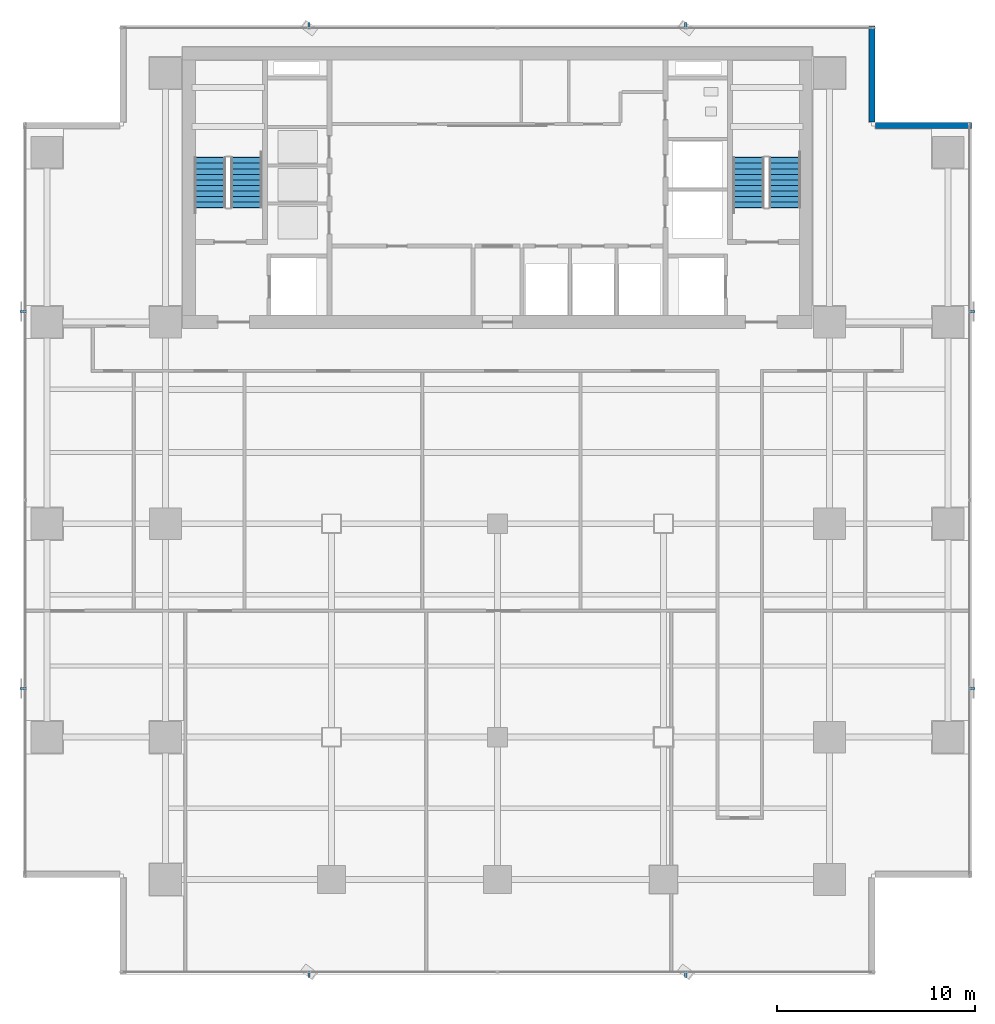
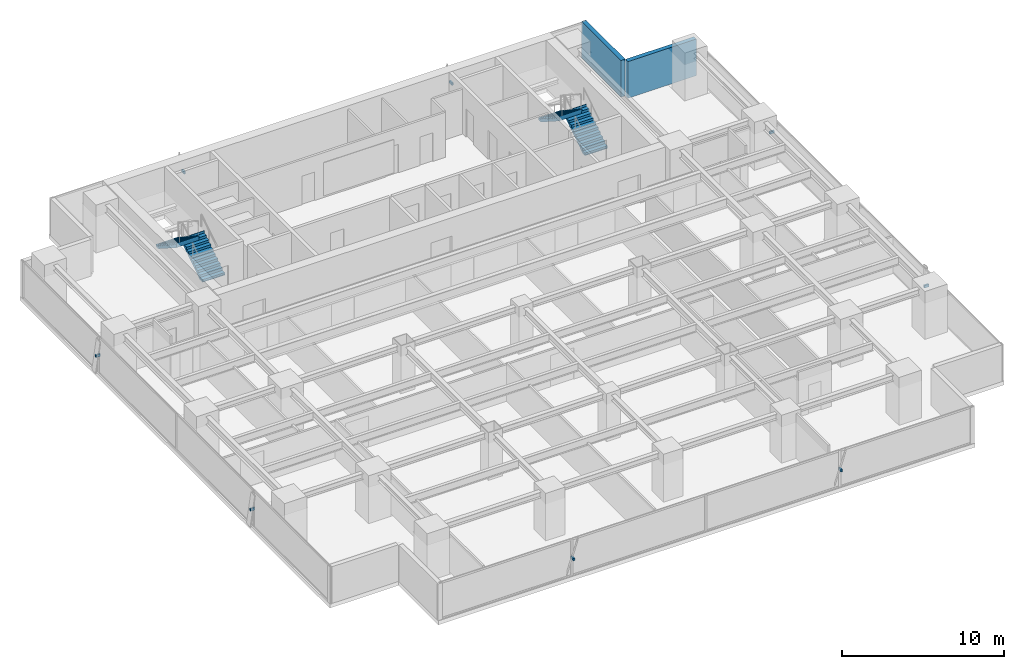
# One storey, part 23 of 29: 8 discrete accessories, 4 stair flights, 2 walls, 2 elements without a shape of their own.
"""IFC4 building model written with IfcOpenShell, lengths in metres."""

from ifc_helpers import new_model, si_unit, direction, frame, frame_2d, origin, origin_2d, place, context, subcontext, project, spatial, polyline, rectangle, outline, extrude, source, transform, mapped, material, layer, layer_set, material_profile, profile_set, type_object, element, aggregate, save


model = new_model("IFC4")

# Units and contexts
model_context = context("Model", 3, precision=1e-05, world=origin(), true_north=direction((0.0, 1.0)))
body_context = subcontext(model_context, "Body", "Model", "MODEL_VIEW")
ifc_project = project(units=[si_unit("LENGTHUNIT", "METRE"), si_unit("AREAUNIT", "SQUARE_METRE"), si_unit("VOLUMEUNIT", "CUBIC_METRE"), si_unit("PLANEANGLEUNIT", "RADIAN"), si_unit("MASSUNIT", "GRAM", prefix="KILO")], contexts=[model_context])

# Site, building, storey
site_placement = place(None, origin())
site = spatial("IfcSite", under=ifc_project, at=site_placement, CompositionType="ELEMENT")
building_placement = place(site_placement, origin())
building = spatial("IfcBuilding", under=site, at=building_placement, Name="Sumidabori Civic Tower", CompositionType="ELEMENT")
storey_placement = place(building_placement, frame((0.0, 0.0, 131.60009765625)))
storey = spatial("IfcBuildingStorey", under=building, at=storey_placement, Name="L33", CompositionType="ELEMENT", Elevation=131.60009765625)

# Walls
ifc_material_1 = material(Name="Precast concrete C40/50", Category="concrete")
ifc_layer = layer(ifc_material_1, 0.300048828125, Name="Precast concrete C40/50")
ifc_layer_set = layer_set([ifc_layer], Name="Precast concrete C40/50")
wall_type = type_object("IfcWallType", Name="WL-EXT-POD300", PredefinedType="STANDARD", material=ifc_layer_set)
shared_shape_1 = source(origin(), body_context, "Body", "SweptSolid", [
    extrude(rectangle(XDim=4.85986328125, YDim=0.300048828125, at=frame_2d((2.429931640625, 0.0))), origin(), (0.0, 0.0, 1.0), 2.760009765625),
])
for number, where, z_axis, x_axis, name in (
    (1, (23.97998046875, 20.14990234375, 0.0), (0.0, 0.0, 1.0), (-1.0, 0.0, 0.0), "Notched Corner Spandrel Band L33-05"),
    (2, (18.949951171875, 20.320068359375, 0.0), (0.0, 0.0, 1.0), (0.0, 1.0, 0.0), "Notched Corner Spandrel Band L33-06"),
):
    element("IfcWall", number, at=place(storey_placement, frame(where, z_axis=z_axis, x_axis=x_axis)), inside=storey, type_object=wall_type, Name=name, PredefinedType="STANDARD", context=body_context, shape_type="MappedRepresentation", body=[
        mapped(shared_shape_1, transform((0.0, 0.0, 0.0), x_axis=(1.0, 0.0, 0.0), y_axis=(0.0, 1.0, 0.0), z_axis=(0.0, 0.0, 1.0), scale=1.0)),
    ])

# Stair, stair flights
ifc_material_2 = material(Name="Concrete C40/50", Category="concrete")
stair_type = type_object("IfcStairType", Name="ST-CORE-1600", PredefinedType="HALF_TURN_STAIR", material=ifc_material_2)
stair_1_placement = place(storey_placement, origin())
stair_1 = element("IfcStair", 3, at=stair_1_placement, inside=storey, type_object=stair_type, Name="L33 ST-1", PredefinedType="HALF_TURN_STAIR")
stair_flight_type = type_object("IfcStairFlightType", Name="SF-CORE-1600", PredefinedType="STRAIGHT", material=ifc_material_2)
shared_shape_2 = source(origin(), body_context, "Body", "SweptSolid", [
    extrude(outline(polyline([(-0.02490234375, 0.0), (-0.02490234375, 0.0400390625), (0.0, 0.0400390625), (0.0, 0.179931640625), (0.280029296875, 0.179931640625), (0.280029296875, 0.360107421875), (0.56005859375, 0.360107421875), (0.56005859375, 0.5400390625), (0.840087890625, 0.5400390625), (0.840087890625, 0.719970703125), (1.1201171875, 0.719970703125), (1.1201171875, 0.89990234375), (1.39990234375, 0.89990234375), (1.39990234375, 1.080078125), (1.679931640625, 1.080078125), (1.679931640625, 1.260009765625), (1.9599609375, 1.260009765625), (1.9599609375, 1.43994140625), (2.239990234375, 1.43994140625), (2.239990234375, 1.6201171875), (2.52001953125, 1.6201171875), (2.52001953125, 1.800048828125), (2.544921875, 1.800048828125), (2.544921875, 1.650146484375), (2.52001953125, 1.44189453125), (0.277099609375, 0.0), (-0.02490234375, 0.0)])), frame((0.0, 0.800048828125, 0.0), z_axis=(0.0, -1.0, 0.0), x_axis=(1.0, 0.0, 0.0)), (0.0, 0.0, 1.0), 1.60009765625),
])
stair_flight_1_placement = place(storey_placement, frame((-12.699951171875, 16.0, 0.0), z_axis=(0.0, 0.0, 1.0), x_axis=(0.0, 1.0, 0.0)))
stair_flight_1 = element("IfcStairFlight", 4, at=stair_flight_1_placement, type_object=stair_flight_type, Name="ST-1 flight 1", NumberOfRisers=10, NumberOfTreads=9, PredefinedType="STRAIGHT", RiserHeight=0.18, TreadLength=0.28, context=body_context, shape_type="MappedRepresentation", body=[
    mapped(shared_shape_2, transform((0.0, 0.0, 0.0), x_axis=(1.0, 0.0, 0.0), y_axis=(0.0, 1.0, 0.0), z_axis=(0.0, 0.0, 1.0), scale=1.0)),
])
stair_flight_2_placement = place(storey_placement, frame((-14.5400390625, 18.52001953125, 1.7998046875), z_axis=(0.0, 0.0, 1.0), x_axis=(0.0, -1.0, 0.0)))
stair_flight_2 = element("IfcStairFlight", 5, at=stair_flight_2_placement, type_object=stair_flight_type, Name="ST-1 flight 2", NumberOfRisers=10, NumberOfTreads=9, PredefinedType="STRAIGHT", RiserHeight=0.18, TreadLength=0.28, context=body_context, shape_type="MappedRepresentation", body=[
    mapped(shared_shape_2, transform((0.0, 0.0, 0.0), x_axis=(1.0, 0.0, 0.0), y_axis=(0.0, 1.0, 0.0), z_axis=(0.0, 0.0, 1.0), scale=1.0)),
])
aggregate(stair_1, [stair_flight_1, stair_flight_2])

stair_2_placement = place(storey_placement, origin())
stair_2 = element("IfcStair", 6, at=stair_2_placement, inside=storey, type_object=stair_type, Name="L33 ST-2", PredefinedType="HALF_TURN_STAIR")
stair_flight_3_placement = place(storey_placement, frame((14.5400390625, 16.0, 0.0), z_axis=(0.0, 0.0, 1.0), x_axis=(0.0, 1.0, 0.0)))
stair_flight_3 = element("IfcStairFlight", 7, at=stair_flight_3_placement, type_object=stair_flight_type, Name="ST-2 flight 1", NumberOfRisers=10, NumberOfTreads=9, PredefinedType="STRAIGHT", RiserHeight=0.18, TreadLength=0.28, context=body_context, shape_type="MappedRepresentation", body=[
    mapped(shared_shape_2, transform((0.0, 0.0, 0.0), x_axis=(1.0, 0.0, 0.0), y_axis=(0.0, 1.0, 0.0), z_axis=(0.0, 0.0, 1.0), scale=1.0)),
])
stair_flight_4_placement = place(storey_placement, frame((12.699951171875, 18.52001953125, 1.7998046875), z_axis=(0.0, 0.0, 1.0), x_axis=(0.0, -1.0, 0.0)))
stair_flight_4 = element("IfcStairFlight", 8, at=stair_flight_4_placement, type_object=stair_flight_type, Name="ST-2 flight 2", NumberOfRisers=10, NumberOfTreads=9, PredefinedType="STRAIGHT", RiserHeight=0.18, TreadLength=0.28, context=body_context, shape_type="MappedRepresentation", body=[
    mapped(shared_shape_2, transform((0.0, 0.0, 0.0), x_axis=(1.0, 0.0, 0.0), y_axis=(0.0, 1.0, 0.0), z_axis=(0.0, 0.0, 1.0), scale=1.0)),
])
aggregate(stair_2, [stair_flight_3, stair_flight_4])

# Discrete accessories
ifc_material_3 = material(Name="Stainless Steel Hairline Finish", Category="steel")
ifc_material_profile = material_profile(ifc_material_3, rectangle(XDim=0.1201171875, YDim=0.179931640625, at=origin_2d()), Name="STEEL BRACKET 180x120")
ifc_profile_set = profile_set([ifc_material_profile], Name="Stainless Steel Hairline Finish")
discrete_accessory_type = type_object("IfcDiscreteAccessoryType", Name="AC-BRK-180", PredefinedType="BRACKET", material=ifc_profile_set)
shared_shape_3 = source(origin(), body_context, "Body", "SweptSolid", [
    extrude(rectangle(XDim=0.1201171875, YDim=0.179931640625, at=origin_2d()), origin(), (0.0, 0.0, 1.0), 0.329833984375),
])
for number, where, z_axis, x_axis, name in (
    (9, (23.830078125, -8.3349609375, 1.369873046875), (1.0, 0.0, 0.0), (0.0, 1.0, 0.0), "Bronze Fin Fixing Bracket L33-01"),
    (10, (23.830078125, 10.735107421875, 1.369873046875), (1.0, 0.0, 0.0), (0.0, 1.0, 0.0), "Bronze Fin Fixing Bracket L33-03"),
    (11, (-23.830078125, 10.735107421875, 1.369873046875), (-1.0, 0.0, 0.0), (0.0, -1.0, 0.0), "Bronze Fin Fixing Bracket L33-01"),
    (12, (-23.830078125, -8.3349609375, 1.369873046875), (-1.0, 0.0, 0.0), (0.0, -1.0, 0.0), "Bronze Fin Fixing Bracket L33-03"),
):
    element("IfcDiscreteAccessory", number, at=place(storey_placement, frame(where, z_axis=z_axis, x_axis=x_axis)), inside=storey, type_object=discrete_accessory_type, Name=name, PredefinedType="BRACKET", context=body_context, shape_type="MappedRepresentation", body=[
        mapped(shared_shape_3, transform((0.0, 0.0, 0.0), x_axis=(1.0, 0.0, 0.0), y_axis=(0.0, 1.0, 0.0), z_axis=(0.0, 0.0, 1.0), scale=1.0)),
    ])
shared_shape_4 = source(origin(), body_context, "Body", "SweptSolid", [
    extrude(rectangle(XDim=0.1201171875, YDim=0.179931640625, at=origin_2d()), origin(), (0.0, 0.0, 1.0), 0.330078125),
])
for number, where, z_axis, x_axis, name in (
    (13, (-9.534912109375, -22.6298828125, 1.369873046875), (0.0, -1.0, 0.0), (1.0, 0.0, 0.0), "Bronze Fin Fixing Bracket L33-01"),
    (14, (9.534912109375, -22.6298828125, 1.369873046875), (0.0, -1.0, 0.0), (1.0, 0.0, 0.0), "Bronze Fin Fixing Bracket L33-03"),
    (15, (9.534912109375, 25.030029296875, 1.369873046875), (0.0, 1.0, 0.0), (-1.0, 0.0, 0.0), "Bronze Fin Fixing Bracket L33-01"),
    (16, (-9.534912109375, 25.030029296875, 1.369873046875), (0.0, 1.0, 0.0), (-1.0, 0.0, 0.0), "Bronze Fin Fixing Bracket L33-03"),
):
    element("IfcDiscreteAccessory", number, at=place(storey_placement, frame(where, z_axis=z_axis, x_axis=x_axis)), inside=storey, type_object=discrete_accessory_type, Name=name, PredefinedType="BRACKET", context=body_context, shape_type="MappedRepresentation", body=[
        mapped(shared_shape_4, transform((0.0, 0.0, 0.0), x_axis=(1.0, 0.0, 0.0), y_axis=(0.0, 1.0, 0.0), z_axis=(0.0, 0.0, 1.0), scale=1.0)),
    ])

save(model, "model.ifc")
